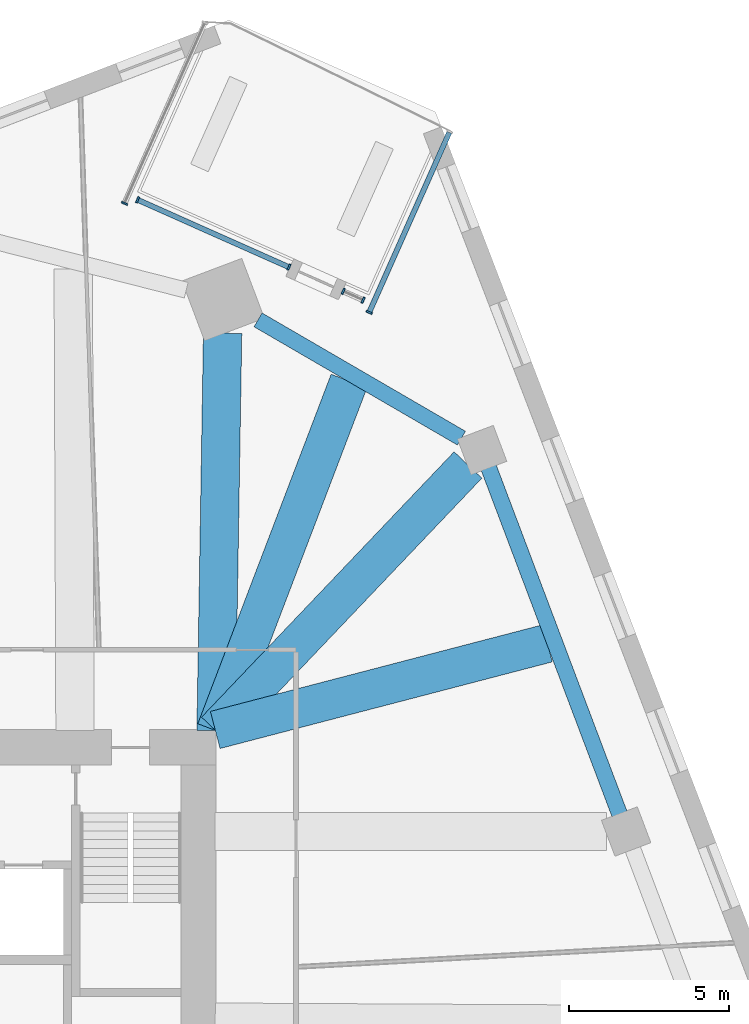
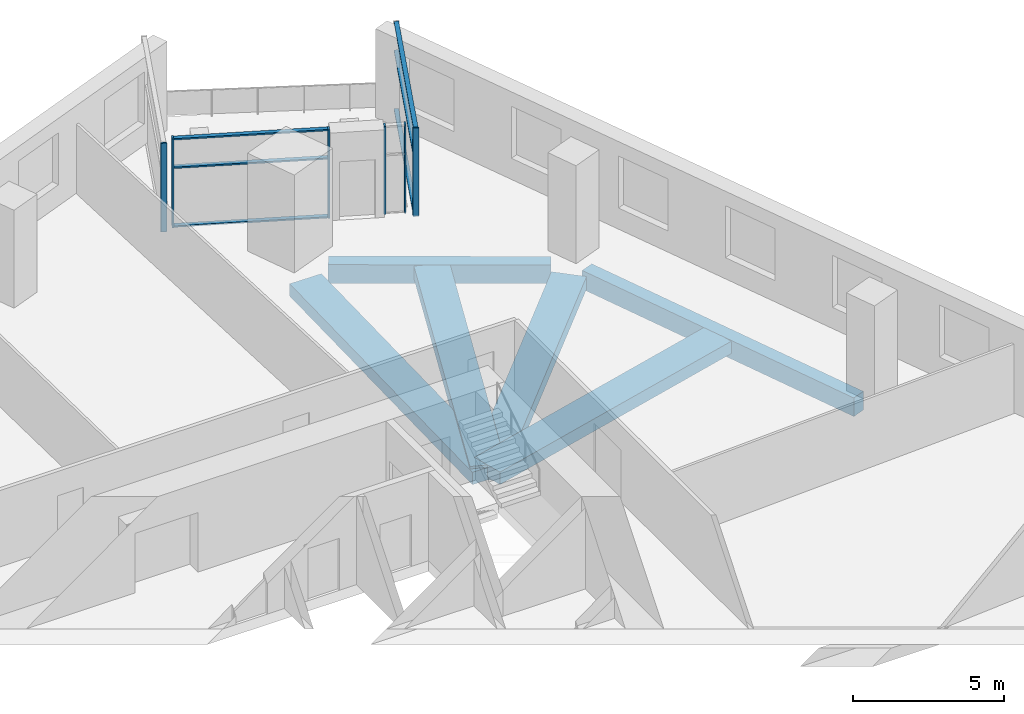
# One storey, part 2 of 14: 12 members, 6 beams, 4 elements without a shape of their own.
"""IFC4 building model written with IfcOpenShell, lengths in metres."""

from ifc_helpers import new_model, si_unit, direction, frame, origin, origin_2d, place, context, subcontext, project, spatial, rectangle, extrude, material, material_profile, profile_set, type_object, element, aggregate, save


model = new_model("IFC4")

# Units and contexts
model_context = context("Model", 3, precision=1e-05, world=origin(), true_north=direction((0.0, 1.0)))
body_context = subcontext(model_context, "Body", "Model", "MODEL_VIEW")
ifc_project = project(units=[si_unit("LENGTHUNIT", "METRE"), si_unit("AREAUNIT", "SQUARE_METRE"), si_unit("VOLUMEUNIT", "CUBIC_METRE"), si_unit("PLANEANGLEUNIT", "RADIAN"), si_unit("MASSUNIT", "GRAM", prefix="KILO")], contexts=[model_context])

# Site, building, storey
site_placement = place(None, origin())
site = spatial("IfcSite", under=ifc_project, at=site_placement, CompositionType="ELEMENT")
building_placement = place(site_placement, origin())
building = spatial("IfcBuilding", under=site, at=building_placement, Name="Dilmun Exchange Tower", CompositionType="ELEMENT")
storey_placement = place(building_placement, frame((0.0, 0.0, 106.10009765625)))
storey = spatial("IfcBuildingStorey", under=building, at=storey_placement, Name="L24", CompositionType="ELEMENT", Elevation=106.10009765625)

# Curtain wall, member
ifc_material_1 = material(Name="Anodised aluminium and clear glass", Category="aluminium")
curtain_wall_type = type_object("IfcCurtainWallType", Name="Garden corner glazing", PredefinedType="NOTDEFINED", material=ifc_material_1)
curtain_wall_1_placement = place(storey_placement, origin())
curtain_wall_1 = element("IfcCurtainWall", 1, at=curtain_wall_1_placement, inside=storey, type_object=curtain_wall_type, Name="Garden corner glazing run GC1.1", PredefinedType="NOTDEFINED")
ifc_material_2 = material(Name="Anodised aluminium", Category="aluminium")
ifc_material_profile_1 = material_profile(ifc_material_2, rectangle(XDim=0.199951171875, YDim=0.06005859375, at=origin_2d()), Name="AL 60x200")
ifc_profile_set_1 = profile_set([ifc_material_profile_1], Name="Anodised aluminium")
member_type_1 = type_object("IfcMemberType", Name="Garden corner glazing mullion 60 x 200", PredefinedType="MULLION", material=ifc_profile_set_1)
member_1_placement = place(storey_placement, frame((17.689697265625, 25.95556640625, 0.0), z_axis=(0.0, 0.0, 1.0), x_axis=(0.913542660018, -0.406742926585, 0.0)))
member_1 = element("IfcMember", 2, at=member_1_placement, type_object=member_type_1, Name="GC1.1 mullion 2", PredefinedType="MULLION", context=body_context, shape_type="SweptSolid", body=[
    extrude(rectangle(XDim=0.199951171875, YDim=0.06005859375, at=origin_2d()), origin(), (0.0, 0.0, 1.0), 3.579833984375),
])

# Curtain wall, members
curtain_wall_2_placement = place(storey_placement, origin())
curtain_wall_2 = element("IfcCurtainWall", 3, at=curtain_wall_2_placement, inside=storey, type_object=curtain_wall_type, Name="Garden corner glazing run GC2.1", PredefinedType="NOTDEFINED")
member_2_placement = place(storey_placement, frame((17.498046875, 26.33642578125, 0.0), z_axis=(0.0, 0.0, 1.0), x_axis=(-0.406828767469, -0.913504435654, 0.0)))
member_2 = element("IfcMember", 4, at=member_2_placement, type_object=member_type_1, Name="GC2.1 mullion 1", PredefinedType="MULLION", context=body_context, shape_type="SweptSolid", body=[
    extrude(rectangle(XDim=0.199951171875, YDim=0.06005859375, at=origin_2d()), origin(), (0.0, 0.0, 1.0), 3.579833984375),
])
member_3_placement = place(storey_placement, frame((16.877685546875, 26.61279296875, 0.0), z_axis=(0.0, 0.0, 1.0), x_axis=(-0.406828767469, -0.913504435654, 0.0)))
member_3 = element("IfcMember", 5, at=member_3_placement, type_object=member_type_1, Name="GC2.1 mullion 2", PredefinedType="MULLION", context=body_context, shape_type="SweptSolid", body=[
    extrude(rectangle(XDim=0.199951171875, YDim=0.06005859375, at=origin_2d()), origin(), (0.0, 0.0, 1.0), 3.579833984375),
])
aggregate(curtain_wall_2, [member_2, member_3])

curtain_wall_3_placement = place(storey_placement, origin())
curtain_wall_3 = element("IfcCurtainWall", 6, at=curtain_wall_3_placement, inside=storey, type_object=curtain_wall_type, Name="Garden corner glazing run GC2.3", PredefinedType="NOTDEFINED")
member_4_placement = place(storey_placement, frame((15.178466796875, 27.369140625, 0.0), z_axis=(0.0, 0.0, 1.0), x_axis=(-0.406735207683, -0.913546096719, 0.0)))
member_4 = element("IfcMember", 7, at=member_4_placement, type_object=member_type_1, Name="GC2.3 mullion 1", PredefinedType="MULLION", context=body_context, shape_type="SweptSolid", body=[
    extrude(rectangle(XDim=0.199951171875, YDim=0.06005859375, at=origin_2d()), origin(), (0.0, 0.0, 1.0), 3.579833984375),
])
member_5_placement = place(storey_placement, frame((10.447265625, 29.4755859375, 0.0), z_axis=(0.0, 0.0, 1.0), x_axis=(-0.406735207683, -0.913546096719, 0.0)))
member_5 = element("IfcMember", 8, at=member_5_placement, type_object=member_type_1, Name="GC2.3 mullion 2", PredefinedType="MULLION", context=body_context, shape_type="SweptSolid", body=[
    extrude(rectangle(XDim=0.199951171875, YDim=0.06005859375, at=origin_2d()), origin(), (0.0, 0.0, 1.0), 3.579833984375),
])

# Curtain wall, member
curtain_wall_4_placement = place(storey_placement, origin())
curtain_wall_4 = element("IfcCurtainWall", 9, at=curtain_wall_4_placement, inside=storey, type_object=curtain_wall_type, Name="Garden corner glazing run GC3.1", PredefinedType="NOTDEFINED")
member_6_placement = place(storey_placement, frame((10.035888671875, 29.36328125, 0.0), z_axis=(0.0, 0.0, 1.0), x_axis=(-0.913542660018, 0.406742926585, 0.0)))
member_6 = element("IfcMember", 10, at=member_6_placement, type_object=member_type_1, Name="GC3.1 mullion 1", PredefinedType="MULLION", context=body_context, shape_type="SweptSolid", body=[
    extrude(rectangle(XDim=0.199951171875, YDim=0.06005859375, at=origin_2d()), origin(), (0.0, 0.0, 1.0), 3.579833984375),
])
aggregate(curtain_wall_4, [member_6])

# Member
ifc_material_profile_2 = material_profile(ifc_material_2, rectangle(XDim=0.159912109375, YDim=0.06005859375, at=origin_2d()), Name="AL 60x160")
ifc_profile_set_2 = profile_set([ifc_material_profile_2], Name="Anodised aluminium")
member_type_2 = type_object("IfcMemberType", Name="Garden corner glazing transom 60 x 160", PredefinedType="USERDEFINED", material=ifc_profile_set_2)
member_7_placement = place(storey_placement, frame((20.19384765625, 31.579833984375, 0.02978515625), z_axis=(-0.406741045913, -0.91354349736, 0.0), x_axis=(0.91354349736, -0.406741045913, 0.0)))
member_7 = element("IfcMember", 11, at=member_7_placement, type_object=member_type_2, Name="GC1.1 transom 1.1", ObjectType="TRANSOM", PredefinedType="USERDEFINED", context=body_context, shape_type="SweptSolid", body=[
    extrude(rectangle(XDim=0.159912109375, YDim=0.06005859375, at=origin_2d()), origin(), (0.0, 0.0, 1.0), 6.126708984375),
])

member_8_placement = place(storey_placement, frame((20.19384765625, 31.579833984375, 2.39990234375), z_axis=(-0.406741045913, -0.91354349736, 0.0), x_axis=(0.91354349736, -0.406741045913, 0.0)))
member_8 = element("IfcMember", 12, at=member_8_placement, type_object=member_type_2, Name="GC1.1 transom 1.2", ObjectType="TRANSOM", PredefinedType="USERDEFINED", context=body_context, shape_type="SweptSolid", body=[
    extrude(rectangle(XDim=0.159912109375, YDim=0.06005859375, at=origin_2d()), origin(), (0.0, 0.0, 1.0), 6.126708984375),
])

member_9_placement = place(storey_placement, frame((20.19384765625, 31.579833984375, 3.5498046875), z_axis=(-0.406741045913, -0.91354349736, 0.0), x_axis=(0.91354349736, -0.406741045913, 0.0)))
member_9 = element("IfcMember", 13, at=member_9_placement, type_object=member_type_2, Name="GC1.1 transom 1.3", ObjectType="TRANSOM", PredefinedType="USERDEFINED", context=body_context, shape_type="SweptSolid", body=[
    extrude(rectangle(XDim=0.159912109375, YDim=0.06005859375, at=origin_2d()), origin(), (0.0, 0.0, 1.0), 6.126708984375),
])

aggregate(curtain_wall_1, [member_1, member_7, member_8, member_9])

member_10_placement = place(storey_placement, frame((15.151123046875, 27.38134765625, 0.02978515625), z_axis=(-0.913551756856, 0.406722494517, 0.0), x_axis=(-0.406722494517, -0.913551756856, 0.0)))
member_10 = element("IfcMember", 14, at=member_10_placement, type_object=member_type_2, Name="GC2.3 transom 1.1", ObjectType="TRANSOM", PredefinedType="USERDEFINED", context=body_context, shape_type="SweptSolid", body=[
    extrude(rectangle(XDim=0.159912109375, YDim=0.06005859375, at=origin_2d()), origin(), (0.0, 0.0, 1.0), 5.119140625),
])

member_11_placement = place(storey_placement, frame((15.151123046875, 27.38134765625, 2.39990234375), z_axis=(-0.913551756856, 0.406722494517, 0.0), x_axis=(-0.406722494517, -0.913551756856, 0.0)))
member_11 = element("IfcMember", 15, at=member_11_placement, type_object=member_type_2, Name="GC2.3 transom 1.2", ObjectType="TRANSOM", PredefinedType="USERDEFINED", context=body_context, shape_type="SweptSolid", body=[
    extrude(rectangle(XDim=0.159912109375, YDim=0.06005859375, at=origin_2d()), origin(), (0.0, 0.0, 1.0), 5.119140625),
])

member_12_placement = place(storey_placement, frame((15.151123046875, 27.38134765625, 3.5498046875), z_axis=(-0.913551756856, 0.406722494517, 0.0), x_axis=(-0.406722494517, -0.913551756856, 0.0)))
member_12 = element("IfcMember", 16, at=member_12_placement, type_object=member_type_2, Name="GC2.3 transom 1.3", ObjectType="TRANSOM", PredefinedType="USERDEFINED", context=body_context, shape_type="SweptSolid", body=[
    extrude(rectangle(XDim=0.159912109375, YDim=0.06005859375, at=origin_2d()), origin(), (0.0, 0.0, 1.0), 5.119140625),
])

aggregate(curtain_wall_3, [member_4, member_5, member_10, member_11, member_12])

# Beams
ifc_material_3 = material(Name="Concrete C40/50", Category="concrete")
ifc_material_profile_3 = material_profile(ifc_material_3, rectangle(XDim=1.199951171875, YDim=0.5, at=origin_2d()), Name="1200 x 500")
ifc_profile_set_3 = profile_set([ifc_material_profile_3], Name="Concrete C40/50")
beam_type_1 = type_object("IfcBeamType", Name="RC band beam 1200 x 500 C40/50", PredefinedType="BEAM", material=ifc_profile_set_3)
beam_1_placement = place(storey_placement, frame((13.104736328125, 25.305419921875, -0.77001953125), z_axis=(-0.016493249431, -0.99986397711, 0.0), x_axis=(0.99986397711, -0.016493249431, 0.0)))
element("IfcBeam", 17, at=beam_1_placement, inside=storey, type_object=beam_type_1, Name="Band beam 1", PredefinedType="BEAM", context=body_context, shape_type="SweptSolid", body=[
    extrude(rectangle(XDim=1.199951171875, YDim=0.5, at=origin_2d()), origin(), (0.0, 0.0, 1.0), 12.43408203125),
])
beam_2_placement = place(storey_placement, frame((20.780517578125, 21.181884765625, -0.77001953125), z_axis=(-0.689333244672, -0.724444392476, 0.0), x_axis=(0.724444392476, -0.689333244672, 0.0)))
element("IfcBeam", 18, at=beam_2_placement, inside=storey, type_object=beam_type_1, Name="Band beam 16", PredefinedType="BEAM", context=body_context, shape_type="SweptSolid", body=[
    extrude(rectangle(XDim=1.199951171875, YDim=0.5, at=origin_2d()), origin(), (0.0, 0.0, 1.0), 11.459228515625),
])
beam_3_placement = place(storey_placement, frame((23.264892578125, 15.602294921875, -0.670166015625), z_axis=(-0.967651305888, -0.252291399404, 0.0), x_axis=(0.252291399404, -0.967651305888, 0.0)))
element("IfcBeam", 19, at=beam_3_placement, inside=storey, type_object=beam_type_1, Name="Band beam 31", PredefinedType="BEAM", context=body_context, shape_type="SweptSolid", body=[
    extrude(rectangle(XDim=1.199951171875, YDim=0.5, at=origin_2d()), origin(), (0.0, 0.0, 1.0), 10.738525390625),
])
beam_4_placement = place(storey_placement, frame((17.059326171875, 23.806640625, -0.670166015625), z_axis=(-0.356325045493, -0.934362061491, 0.0), x_axis=(0.934362061491, -0.356325045493, 0.0)))
element("IfcBeam", 20, at=beam_4_placement, inside=storey, type_object=beam_type_1, Name="Band beam 32", PredefinedType="BEAM", context=body_context, shape_type="SweptSolid", body=[
    extrude(rectangle(XDim=1.199951171875, YDim=0.5, at=origin_2d()), origin(), (0.0, 0.0, 1.0), 11.699951171875),
])
ifc_material_profile_4 = material_profile(ifc_material_3, rectangle(XDim=0.5, YDim=0.75, at=origin_2d()), Name="500 x 750")
ifc_profile_set_4 = profile_set([ifc_material_profile_4], Name="Concrete C40/50")
beam_type_2 = type_object("IfcBeamType", Name="RC ring beam 500 x 750 C40/50", PredefinedType="SPANDREL", material=ifc_profile_set_4)
beam_5_placement = place(storey_placement, frame((25.5234375, 10.2529296875, -0.795166015625), z_axis=(-0.353303601311, 0.935508720056, 0.0), x_axis=(-0.935508720056, -0.353303601311, 0.0)))
element("IfcBeam", 21, at=beam_5_placement, inside=storey, type_object=beam_type_2, Name="Ring beam 15", PredefinedType="SPANDREL", context=body_context, shape_type="SweptSolid", body=[
    extrude(rectangle(XDim=0.5, YDim=0.75, at=origin_2d()), origin(), (0.0, 0.0, 1.0), 11.604248046875),
])
beam_6_placement = place(storey_placement, frame((20.57568359375, 22.020263671875, -0.795166015625), z_axis=(-0.864503499359, 0.50262679952, 0.0), x_axis=(-0.50262679952, -0.864503499359, 0.0)))
element("IfcBeam", 22, at=beam_6_placement, inside=storey, type_object=beam_type_2, Name="Ring beam 16", PredefinedType="SPANDREL", context=body_context, shape_type="SweptSolid", body=[
    extrude(rectangle(XDim=0.5, YDim=0.75, at=origin_2d()), origin(), (0.0, 0.0, 1.0), 7.35986328125),
])

save(model, "model.ifc")
